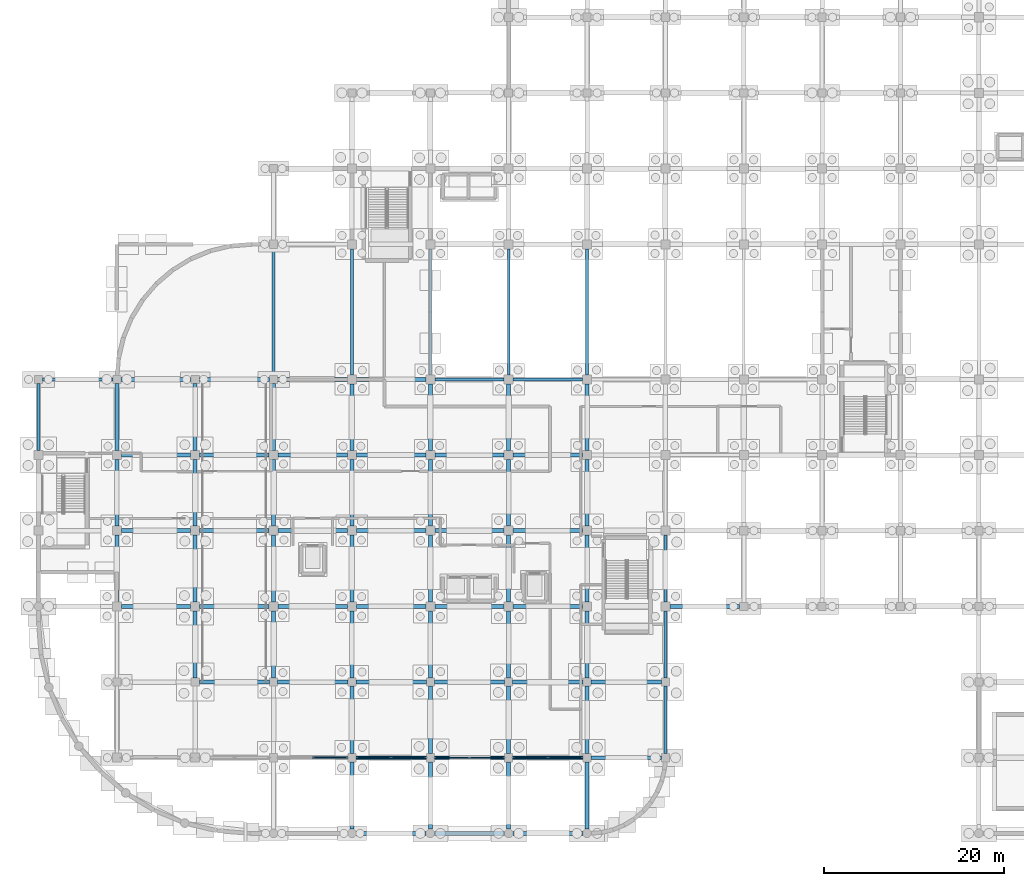
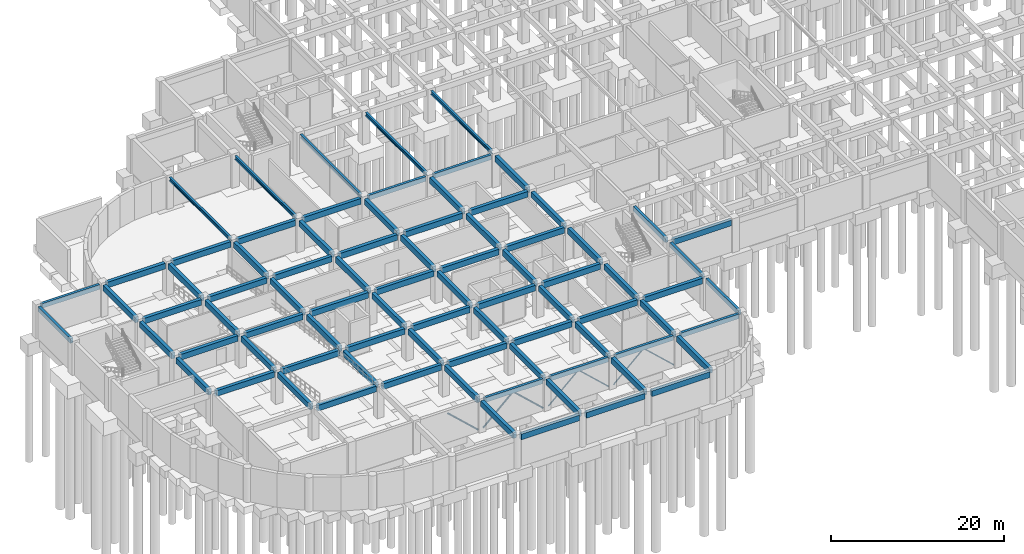
# One storey, part 16 of 33: 83 beams, 7 members.
"""IFC4 building model written with IfcOpenShell, lengths in metres."""

import ifcopenshell
import ifcopenshell.guid

model = None  # the IFC model being written
_history = None  # IfcOwnerHistory: only IFC2X3 demands one
_inside = {}  # id of a spatial element -> (the spatial element, [elements in it])
_under = {}  # id of a project, library or spatial element -> (it, [spatial elements below it])
_declared = {}  # id of a project -> (the project, [libraries it declares])
_typed = {}  # id of a type object -> (the type object, [elements of that type])
_made_of = {}  # id of a material, layer set ... -> (it, [elements and type objects made of it])


def new_model(schema):
    """Start an empty IFC model of exactly this schema.

    Asked for "IFC4X3", IfcOpenShell would pick the latest addendum, in which some entities
    have other attributes; the version numbers below select the first issue.
    IFC2X3 requires an IfcOwnerHistory on every rooted entity: one is made here for all.
    """
    global model, _history
    if schema == "IFC4X3":
        model = ifcopenshell.file(schema_version=(4, 3, 0, 0))
    else:
        model = ifcopenshell.file(schema=schema)
    _inside.clear()
    _under.clear()
    _declared.clear()
    _typed.clear()
    _made_of.clear()
    _history = None
    if model.schema == "IFC2X3":
        org = make("IfcOrganization", Name="unknown")
        user = make(
            "IfcPersonAndOrganization",
            ThePerson=make("IfcPerson", FamilyName="unknown"),
            TheOrganization=org,
        )
        app = make(
            "IfcApplication",
            ApplicationDeveloper=org,
            Version="unknown",
            ApplicationFullName="unknown",
            ApplicationIdentifier="unknown",
        )
        _history = make(
            "IfcOwnerHistory",
            OwningUser=user,
            OwningApplication=app,
            ChangeAction="ADDED",
            CreationDate=0,
        )
    return model


def make(cls, **values):
    """One entity of the class cls with the attributes given. An attribute that is None is left unset."""
    return model.create_entity(
        cls, **{name: value for name, value in values.items() if value is not None}
    )


def rooted(cls, **values):
    """An entity with a GlobalId (a new one), such as an element, a storey or a relation."""
    return make(cls, GlobalId=ifcopenshell.guid.new(), OwnerHistory=_history, **values)


def si_unit(unit_type, name, prefix=None):
    """IfcSIUnit, for example si_unit("LENGTHUNIT", "METRE", prefix="MILLI")."""
    return make("IfcSIUnit", UnitType=unit_type, Prefix=prefix, Name=name)


def derived_unit(unit_type, elements):
    """IfcDerivedUnit: a product of units, each with its exponent."""
    return make(
        "IfcDerivedUnit",
        Elements=[
            make("IfcDerivedUnitElement", Unit=unit, Exponent=power)
            for unit, power in elements
        ],
        UnitType=unit_type,
    )


def assignment(units):
    """IfcUnitAssignment: the units of a project."""
    return None if units is None else make("IfcUnitAssignment", Units=units)


def point(xyz):
    """IfcCartesianPoint."""
    return None if xyz is None else make("IfcCartesianPoint", Coordinates=xyz)


def direction(xyz):
    """IfcDirection."""
    return None if xyz is None else make("IfcDirection", DirectionRatios=xyz)


def frame(location, z_axis=None, x_axis=None):
    """IfcAxis2Placement3D, a coordinate frame: its origin and axes. An axis left out is left unset."""
    return make(
        "IfcAxis2Placement3D",
        Location=point(location),
        Axis=direction(z_axis),
        RefDirection=direction(x_axis),
    )


def frame_2d(location, x_axis=None):
    """IfcAxis2Placement2D, a coordinate frame in the plane: its origin and x axis."""
    return make(
        "IfcAxis2Placement2D", Location=point(location), RefDirection=direction(x_axis)
    )


def origin():
    """The frame at (0, 0, 0) with its axes left unset."""
    return frame((0.0, 0.0, 0.0))


def origin_2d():
    """The frame at (0, 0) in the plane with its x axis left unset."""
    return frame_2d((0.0, 0.0))


def place(relative_to, where):
    """IfcLocalPlacement: puts the frame where relative to a parent placement (None: the world)."""
    return make(
        "IfcLocalPlacement", PlacementRelTo=relative_to, RelativePlacement=where
    )


def context(
    kind, dimensions, precision=None, world=None, true_north=None, identifier=None
):
    """IfcGeometricRepresentationContext, for example the 3D "Model" context."""
    return make(
        "IfcGeometricRepresentationContext",
        ContextIdentifier=identifier,
        ContextType=kind,
        CoordinateSpaceDimension=dimensions,
        Precision=precision,
        WorldCoordinateSystem=world,
        TrueNorth=true_north,
    )


def subcontext(parent, identifier, kind, view, scale=None):
    """IfcGeometricRepresentationSubContext, for example "Body" below "Model"."""
    return make(
        "IfcGeometricRepresentationSubContext",
        ContextIdentifier=identifier,
        ContextType=kind,
        ParentContext=parent,
        TargetScale=scale,
        TargetView=view,
    )


def project(units=None, contexts=None):
    """IfcProject with its units and contexts."""
    return rooted(
        "IfcProject",
        Name="project",
        RepresentationContexts=contexts,
        UnitsInContext=assignment(units),
    )


def spatial(cls, under=None, at=None, **own):
    """A site, building, storey or space (cls), placed at a placement, below another one or the project."""
    s = rooted(cls, ObjectPlacement=at, **own)
    if under is not None:
        _under.setdefault(under.id(), (under, []))[1].append(s)
    return s


def profile(cls, at=None, kind="AREA", **sizes):
    """A parametric profile (cls). Its sizes go by their IFC names, for example OverallWidth=200.0."""
    return make(cls, ProfileType=kind, Position=at, **sizes)


def rectangle(**sizes):
    """IfcRectangleProfileDef."""
    return profile("IfcRectangleProfileDef", **sizes)


def hollow_circle(**sizes):
    """IfcCircleHollowProfileDef."""
    return profile("IfcCircleHollowProfileDef", **sizes)


def i_section(**sizes):
    """IfcIShapeProfileDef."""
    return profile("IfcIShapeProfileDef", **sizes)


def extrude(swept, where, along, depth):
    """IfcExtrudedAreaSolid: the profile swept, set in the frame where, extruded along a direction by depth."""
    return make(
        "IfcExtrudedAreaSolid",
        SweptArea=swept,
        Position=where,
        ExtrudedDirection=direction(along),
        Depth=depth,
    )


def shape(context_of_items, identifier, shape_type, items):
    """IfcShapeRepresentation: the items that make up one representation, for example the "Body"."""
    return make(
        "IfcShapeRepresentation",
        ContextOfItems=context_of_items,
        RepresentationIdentifier=identifier,
        RepresentationType=shape_type,
        Items=items,
    )


def material(Name=None, Category=None):
    """IfcMaterial."""
    return make("IfcMaterial", Name=Name, Category=Category)


def material_profile(
    of_material, cross_section, Name=None, Category=None, Priority=None
):
    """IfcMaterialProfile: a cross section and its material."""
    return make(
        "IfcMaterialProfile",
        Name=Name,
        Material=of_material,
        Profile=cross_section,
        Priority=Priority,
        Category=Category,
    )


def profile_set(profiles, Name=None, composite=None):
    """IfcMaterialProfileSet."""
    return make(
        "IfcMaterialProfileSet",
        Name=Name,
        MaterialProfiles=profiles,
        CompositeProfile=composite,
    )


def made_of(thing, what):
    """Note that an element or type object is made of a material, layer set ...; save() writes the relation."""
    if what is not None:
        _made_of.setdefault(what.id(), (what, []))[1].append(thing)
    return thing


def type_object(cls, material=None, **own):
    """A type object (cls), such as IfcWallType, which elements share."""
    return made_of(rooted(cls, **own), material)


def element(
    cls,
    number,
    at=None,
    inside=None,
    cuts=None,
    type_object=None,
    material=None,
    context=None,
    identifier="Body",
    shape_type=None,
    held_by="IfcProductDefinitionShape",
    body=None,
    shapes=None,
    **own,
):
    """One element of the class cls, such as IfcWall. Its Tag is "e" and its number.

    at: its placement. inside: the storey or other place that contains it. cuts: it is an
    opening in that element (IfcRelVoidsElement). A single representation is given by context,
    identifier, shape_type and body (its items); several are given by shapes. held_by: the class
    of the entity that holds the representations. save() writes the other relations.
    """
    e = rooted(cls, Tag="e%d" % number, ObjectPlacement=at, **own)
    if body is not None:
        shapes = [shape(context, identifier, shape_type, body)]
    if shapes is not None:
        e.Representation = make(held_by, Representations=shapes)
    if inside is not None:
        _inside.setdefault(inside.id(), (inside, []))[1].append(e)
    if cuts is not None:
        rooted(
            "IfcRelVoidsElement", RelatingBuildingElement=cuts, RelatedOpeningElement=e
        )
    if type_object is not None:
        _typed.setdefault(type_object.id(), (type_object, []))[1].append(e)
    return made_of(e, material)


def aggregate(whole, parts):
    """IfcRelAggregates: a whole, such as a stair, and the parts it consists of."""
    return rooted("IfcRelAggregates", RelatingObject=whole, RelatedObjects=parts)


def save(model, path):
    """Write the relations noted so far, then the file.

    IfcRelAggregates (storeys below a building ...), IfcRelContainedInSpatialStructure (elements
    in a storey), IfcRelDefinesByType, IfcRelAssociatesMaterial and IfcRelDeclares: one each for
    every whole, place, type object, material and project.
    """
    for whole, parts in _under.values():
        aggregate(whole, parts)
    for where, things in _inside.values():
        rooted(
            "IfcRelContainedInSpatialStructure",
            RelatedElements=things,
            RelatingStructure=where,
        )
    for kind, things in _typed.values():
        rooted("IfcRelDefinesByType", RelatedObjects=things, RelatingType=kind)
    for what, things in _made_of.values():
        rooted("IfcRelAssociatesMaterial", RelatedObjects=things, RelatingMaterial=what)
    for by, libraries in _declared.values():
        rooted("IfcRelDeclares", RelatingContext=by, RelatedDefinitions=libraries)
    model.write(path)


model = new_model("IFC4")

# Units and contexts
model_context = context("Model", 3, precision=1e-05, world=origin(), true_north=direction((0.0, 1.0)))
body_context = subcontext(model_context, "Body", "Model", "MODEL_VIEW")
ifc_project = project(units=[si_unit("LENGTHUNIT", "METRE"), si_unit("AREAUNIT", "SQUARE_METRE"), si_unit("VOLUMEUNIT", "CUBIC_METRE"), si_unit("PLANEANGLEUNIT", "RADIAN"), si_unit("MASSUNIT", "GRAM", prefix="KILO"), derived_unit("THERMALTRANSMITTANCEUNIT", [(si_unit("MASSUNIT", "GRAM", prefix="KILO"), 1), (si_unit("TIMEUNIT", "SECOND"), -3), (si_unit("THERMODYNAMICTEMPERATUREUNIT", "KELVIN"), -1)])], contexts=[model_context])

# Site, building, storey
site_placement = place(None, origin())
site = spatial("IfcSite", under=ifc_project, at=site_placement, CompositionType="ELEMENT")
building_placement = place(site_placement, origin())
building = spatial("IfcBuilding", under=site, at=building_placement, Name="Qinzheling Arcade Emporium", CompositionType="ELEMENT")
storey_placement = place(building_placement, frame((0.0, 0.0, -9.60009765625)))
storey = spatial("IfcBuildingStorey", under=building, at=storey_placement, Name="B2", CompositionType="ELEMENT", Elevation=-9.60009765625)

# Beams
ifc_material_1 = material(Name="Structural steel Q355B", Category="steel")
ifc_material_profile_1 = material_profile(ifc_material_1, i_section(OverallWidth=0.300048828125, OverallDepth=0.488037109375, WebThickness=0.010986328125, FlangeThickness=0.01806640625, FilletRadius=0.02197265625, at=origin_2d()), Name="HM 488x300x11x18", Category="steel")
ifc_profile_set_1 = profile_set([ifc_material_profile_1], Name="Structural steel Q355B")
beam_type_1 = type_object("IfcBeamType", Name="Atrium Bridge Girder HM488 Q355B", PredefinedType="USERDEFINED", material=ifc_profile_set_1)
beam_1_placement = place(storey_placement, frame((26.10009765625, 50.85009765625, 4.236083984375), z_axis=(0.0, 1.0, 0.0), x_axis=(-1.0, 0.0, 0.0)))
element("IfcBeam", 1, at=beam_1_placement, inside=storey, type_object=beam_type_1, Name="Beam BM-B2-Y-4-G", ObjectType="TRANSFER_GIRDER", PredefinedType="USERDEFINED", context=body_context, shape_type="SweptSolid", body=[
    extrude(i_section(OverallWidth=0.300048828125, OverallDepth=0.488037109375, WebThickness=0.010986328125, FlangeThickness=0.01806640625, FilletRadius=0.02197265625, at=origin_2d()), origin(), (0.0, 0.0, 1.0), 14.099853515625),
])
for number, where, z_axis, x_axis, name in (
    (2, (34.800048828125, 50.89990234375, 4.236083984375), (0.0, 1.0, 0.0), (-1.0, 0.0, 0.0), "Beam BM-B2-Y-5-G"),
    (3, (43.5, 50.89990234375, 4.236083984375), (0.0, 1.0, 0.0), (-1.0, 0.0, 0.0), "Beam BM-B2-Y-6-G"),
    (4, (52.199951171875, 50.89990234375, 4.276123046875), (0.0, 1.0, 0.0), (-1.0, 0.0, 0.0), "Beam BM-B2-Y-7-G"),
    (5, (60.89990234375, 50.89990234375, 4.276123046875), (0.0, 1.0, 0.0), (-1.0, 0.0, 0.0), "Beam BM-B2-Y-8-G"),
):
    element("IfcBeam", number, at=place(storey_placement, frame(where, z_axis=z_axis, x_axis=x_axis)), inside=storey, type_object=beam_type_1, Name=name, ObjectType="TRANSFER_GIRDER", PredefinedType="USERDEFINED", context=body_context, shape_type="SweptSolid", body=[
        extrude(i_section(OverallWidth=0.300048828125, OverallDepth=0.488037109375, WebThickness=0.010986328125, FlangeThickness=0.01806640625, FilletRadius=0.02197265625, at=origin_2d()), origin(), (0.0, 0.0, 1.0), 14.0),
    ])

# Members
ifc_material_2 = material(Name="Weathering steel Q355NH", Category="steel")
ifc_material_profile_2 = material_profile(ifc_material_2, hollow_circle(Radius=0.109619140625, WallThickness=0.010009765625, at=origin_2d()), Name="CHS 219x10", Category="steel")
ifc_profile_set_2 = profile_set([ifc_material_profile_2], Name="Weathering steel Q355NH")
member_type_1 = type_object("IfcMemberType", Name="Lateral Frame Wind Brace CHS219 Q355NH", PredefinedType="BRACE", material=ifc_profile_set_2)
for number, where, z_axis, x_axis, name in (
    (6, (34.449951171875, 8.39990234375, 0.25), (-0.734081571746, 0.0, 0.679061297692), (0.0, -1.0, 0.0), "Chevron Frame Brace FRM-BRC-B2-01-2"),
    (7, (35.14990234375, 8.39990234375, 0.25), (0.734081571746, 0.0, 0.679061297692), (0.0, 1.0, 0.0), "Chevron Frame Brace FRM-BRC-B2-02-1"),
    (8, (43.14990234375, 8.39990234375, 0.25), (-0.734081571746, 0.0, 0.679061297692), (0.0, -1.0, 0.0), "Chevron Frame Brace FRM-BRC-B2-02-2"),
):
    element("IfcMember", number, at=place(storey_placement, frame(where, z_axis=z_axis, x_axis=x_axis)), inside=storey, type_object=member_type_1, Name=name, PredefinedType="BRACE", context=body_context, shape_type="SweptSolid", body=[
        extrude(hollow_circle(Radius=0.109619140625, WallThickness=0.010009765625, at=origin_2d()), origin(), (0.0, 0.0, 1.0), 5.448974609375),
    ])
ifc_material_profile_3 = material_profile(ifc_material_1, hollow_circle(Radius=0.083984375, WallThickness=0.008056640625, at=origin_2d()), Name="CHS 168x8", Category="steel")
ifc_profile_set_3 = profile_set([ifc_material_profile_3], Name="Structural steel Q355B")
member_type_2 = type_object("IfcMemberType", Name="Logistics Frame Cross Brace CHS168 Q355B", PredefinedType="BRACE", material=ifc_profile_set_3)
for number, where, z_axis, x_axis, name in (
    (9, (43.85009765625, 8.39990234375, 0.25), (0.734081571746, 0.0, 0.679061297692), (0.0, 1.0, 0.0), "Chevron Frame Brace FRM-BRC-B2-05-1"),
    (10, (51.85009765625, 8.39990234375, 0.25), (-0.734081571746, 0.0, 0.679061297692), (0.0, -1.0, 0.0), "Chevron Frame Brace FRM-BRC-B2-05-2"),
    (11, (52.550048828125, 8.39990234375, 0.25), (0.734081571746, 0.0, 0.679061297692), (0.0, 1.0, 0.0), "Chevron Frame Brace FRM-BRC-B2-07-1"),
    (12, (60.550048828125, 8.39990234375, 0.25), (-0.734081571746, 0.0, 0.679061297692), (0.0, -1.0, 0.0), "Chevron Frame Brace FRM-BRC-B2-07-2"),
):
    element("IfcMember", number, at=place(storey_placement, frame(where, z_axis=z_axis, x_axis=x_axis)), inside=storey, type_object=member_type_2, Name=name, PredefinedType="BRACE", context=body_context, shape_type="SweptSolid", body=[
        extrude(hollow_circle(Radius=0.083984375, WallThickness=0.008056640625, at=origin_2d()), origin(), (0.0, 0.0, 1.0), 5.448974609375),
    ])

# Beams
ifc_material_3 = material(Name="Concrete C40", Category="concrete")
ifc_material_profile_4 = material_profile(ifc_material_3, rectangle(XDim=0.449951171875, YDim=0.800048828125, at=origin_2d()), Name="RC 450x800", Category="concrete")
ifc_profile_set_4 = profile_set([ifc_material_profile_4], Name="Concrete C40")
beam_type_2 = type_object("IfcBeamType", Name="RC Primary Frame Beam 450x800 C40", PredefinedType="BEAM", material=ifc_profile_set_4)
for number, where, z_axis, x_axis, name in (
    (13, (35.27490234375, 0.0, 4.1201171875), (1.0, 0.0, 0.0), (0.0, 1.0, 0.0), "Beam BM-B2-X-A-5"),
    (14, (43.97509765625, 0.0, 4.1201171875), (1.0, 0.0, 0.0), (0.0, 1.0, 0.0), "Beam BM-B2-X-A-6"),
    (15, (52.675048828125, 0.0, 4.1201171875), (1.0, 0.0, 0.0), (0.0, 1.0, 0.0), "Beam BM-B2-X-A-7"),
):
    element("IfcBeam", number, at=place(storey_placement, frame(where, z_axis=z_axis, x_axis=x_axis)), inside=storey, type_object=beam_type_2, Name=name, PredefinedType="BEAM", context=body_context, shape_type="SweptSolid", body=[
        extrude(rectangle(XDim=0.449951171875, YDim=0.800048828125, at=origin_2d()), origin(), (0.0, 0.0, 1.0), 7.75),
    ])
beam_2_placement = place(storey_placement, frame((17.85009765625, 16.800048828125, 4.080078125), z_axis=(1.0, 0.0, 0.0), x_axis=(0.0, 1.0, 0.0)))
element("IfcBeam", 16, at=beam_2_placement, inside=storey, type_object=beam_type_2, Name="Beam BM-B2-X-C-3", PredefinedType="BEAM", context=body_context, shape_type="SweptSolid", body=[
    extrude(rectangle(XDim=0.449951171875, YDim=0.800048828125, at=origin_2d()), origin(), (0.0, 0.0, 1.0), 7.7998046875),
])
for number, where, z_axis, x_axis, name in (
    (17, (26.550048828125, 16.800048828125, 4.080078125), (1.0, 0.0, 0.0), (0.0, 1.0, 0.0), "Beam BM-B2-X-C-4"),
    (18, (35.25, 16.800048828125, 4.080078125), (1.0, 0.0, 0.0), (0.0, 1.0, 0.0), "Beam BM-B2-X-C-5"),
    (19, (43.949951171875, 16.800048828125, 4.080078125), (1.0, 0.0, 0.0), (0.0, 1.0, 0.0), "Beam BM-B2-X-C-6"),
    (20, (52.64990234375, 16.800048828125, 4.080078125), (1.0, 0.0, 0.0), (0.0, 1.0, 0.0), "Beam BM-B2-X-C-7"),
):
    element("IfcBeam", number, at=place(storey_placement, frame(where, z_axis=z_axis, x_axis=x_axis)), inside=storey, type_object=beam_type_2, Name=name, PredefinedType="BEAM", context=body_context, shape_type="SweptSolid", body=[
        extrude(rectangle(XDim=0.449951171875, YDim=0.800048828125, at=origin_2d()), origin(), (0.0, 0.0, 1.0), 7.800048828125),
    ])
beam_3_placement = place(storey_placement, frame((61.35009765625, 16.800048828125, 4.080078125), z_axis=(1.0, 0.0, 0.0), x_axis=(0.0, 1.0, 0.0)))
element("IfcBeam", 21, at=beam_3_placement, inside=storey, type_object=beam_type_2, Name="Beam BM-B2-X-C-8", PredefinedType="BEAM", context=body_context, shape_type="SweptSolid", body=[
    extrude(rectangle(XDim=0.449951171875, YDim=0.800048828125, at=origin_2d()), origin(), (0.0, 0.0, 1.0), 7.7998046875),
])
beam_4_placement = place(storey_placement, frame((9.199951171875, 25.199951171875, 4.080078125), z_axis=(1.0, 0.0, 0.0), x_axis=(0.0, 1.0, 0.0)))
element("IfcBeam", 22, at=beam_4_placement, inside=storey, type_object=beam_type_2, Name="Beam BM-B2-X-D-2", PredefinedType="BEAM", context=body_context, shape_type="SweptSolid", body=[
    extrude(rectangle(XDim=0.449951171875, YDim=0.800048828125, at=origin_2d()), origin(), (0.0, 0.0, 1.0), 7.699951171875),
])
beam_5_placement = place(storey_placement, frame((17.89990234375, 25.199951171875, 4.080078125), z_axis=(1.0, 0.0, 0.0), x_axis=(0.0, 1.0, 0.0)))
element("IfcBeam", 23, at=beam_5_placement, inside=storey, type_object=beam_type_2, Name="Beam BM-B2-X-D-3", PredefinedType="BEAM", context=body_context, shape_type="SweptSolid", body=[
    extrude(rectangle(XDim=0.449951171875, YDim=0.800048828125, at=origin_2d()), origin(), (0.0, 0.0, 1.0), 7.7001953125),
])
for number, where, z_axis, x_axis, name in (
    (24, (26.60009765625, 25.199951171875, 4.080078125), (1.0, 0.0, 0.0), (0.0, 1.0, 0.0), "Beam BM-B2-X-D-4"),
    (25, (35.300048828125, 25.199951171875, 4.080078125), (1.0, 0.0, 0.0), (0.0, 1.0, 0.0), "Beam BM-B2-X-D-5"),
    (26, (44.0, 25.199951171875, 4.080078125), (1.0, 0.0, 0.0), (0.0, 1.0, 0.0), "Beam BM-B2-X-D-6"),
    (27, (52.699951171875, 25.199951171875, 4.080078125), (1.0, 0.0, 0.0), (0.0, 1.0, 0.0), "Beam BM-B2-X-D-7"),
):
    element("IfcBeam", number, at=place(storey_placement, frame(where, z_axis=z_axis, x_axis=x_axis)), inside=storey, type_object=beam_type_2, Name=name, PredefinedType="BEAM", context=body_context, shape_type="SweptSolid", body=[
        extrude(rectangle(XDim=0.449951171875, YDim=0.800048828125, at=origin_2d()), origin(), (0.0, 0.0, 1.0), 7.699951171875),
    ])
beam_6_placement = place(storey_placement, frame((70.10009765625, 25.199951171875, 4.1201171875), z_axis=(1.0, 0.0, 0.0), x_axis=(0.0, 1.0, 0.0)))
element("IfcBeam", 28, at=beam_6_placement, inside=storey, type_object=beam_type_2, Name="Beam BM-B2-X-D-9", PredefinedType="BEAM", context=body_context, shape_type="SweptSolid", body=[
    extrude(rectangle(XDim=0.449951171875, YDim=0.800048828125, at=origin_2d()), origin(), (0.0, 0.0, 1.0), 7.75),
])
beam_7_placement = place(storey_placement, frame((9.199951171875, 33.60009765625, 4.080078125), z_axis=(1.0, 0.0, 0.0), x_axis=(0.0, 1.0, 0.0)))
element("IfcBeam", 29, at=beam_7_placement, inside=storey, type_object=beam_type_2, Name="Beam BM-B2-X-E-2", PredefinedType="BEAM", context=body_context, shape_type="SweptSolid", body=[
    extrude(rectangle(XDim=0.449951171875, YDim=0.800048828125, at=origin_2d()), origin(), (0.0, 0.0, 1.0), 7.699951171875),
])
beam_8_placement = place(storey_placement, frame((17.89990234375, 33.60009765625, 4.080078125), z_axis=(1.0, 0.0, 0.0), x_axis=(0.0, 1.0, 0.0)))
element("IfcBeam", 30, at=beam_8_placement, inside=storey, type_object=beam_type_2, Name="Beam BM-B2-X-E-3", PredefinedType="BEAM", context=body_context, shape_type="SweptSolid", body=[
    extrude(rectangle(XDim=0.449951171875, YDim=0.800048828125, at=origin_2d()), origin(), (0.0, 0.0, 1.0), 7.7001953125),
])
for number, where, z_axis, x_axis, name in (
    (31, (26.60009765625, 33.60009765625, 4.080078125), (1.0, 0.0, 0.0), (0.0, 1.0, 0.0), "Beam BM-B2-X-E-4"),
    (32, (35.300048828125, 33.60009765625, 4.080078125), (1.0, 0.0, 0.0), (0.0, 1.0, 0.0), "Beam BM-B2-X-E-5"),
    (33, (44.0, 33.60009765625, 4.080078125), (1.0, 0.0, 0.0), (0.0, 1.0, 0.0), "Beam BM-B2-X-E-6"),
    (34, (52.699951171875, 33.60009765625, 4.080078125), (1.0, 0.0, 0.0), (0.0, 1.0, 0.0), "Beam BM-B2-X-E-7"),
    (35, (9.199951171875, 42.0, 4.080078125), (1.0, 0.0, 0.0), (0.0, 1.0, 0.0), "Beam BM-B2-X-F-2"),
):
    element("IfcBeam", number, at=place(storey_placement, frame(where, z_axis=z_axis, x_axis=x_axis)), inside=storey, type_object=beam_type_2, Name=name, PredefinedType="BEAM", context=body_context, shape_type="SweptSolid", body=[
        extrude(rectangle(XDim=0.449951171875, YDim=0.800048828125, at=origin_2d()), origin(), (0.0, 0.0, 1.0), 7.699951171875),
    ])
beam_9_placement = place(storey_placement, frame((17.89990234375, 42.0, 4.080078125), z_axis=(1.0, 0.0, 0.0), x_axis=(0.0, 1.0, 0.0)))
element("IfcBeam", 36, at=beam_9_placement, inside=storey, type_object=beam_type_2, Name="Beam BM-B2-X-F-3", PredefinedType="BEAM", context=body_context, shape_type="SweptSolid", body=[
    extrude(rectangle(XDim=0.449951171875, YDim=0.800048828125, at=origin_2d()), origin(), (0.0, 0.0, 1.0), 7.7001953125),
])
for number, where, z_axis, x_axis, name in (
    (37, (26.60009765625, 42.0, 4.080078125), (1.0, 0.0, 0.0), (0.0, 1.0, 0.0), "Beam BM-B2-X-F-4"),
    (38, (35.300048828125, 42.0, 4.080078125), (1.0, 0.0, 0.0), (0.0, 1.0, 0.0), "Beam BM-B2-X-F-5"),
    (39, (44.0, 42.0, 4.080078125), (1.0, 0.0, 0.0), (0.0, 1.0, 0.0), "Beam BM-B2-X-F-6"),
    (40, (52.699951171875, 42.0, 4.080078125), (1.0, 0.0, 0.0), (0.0, 1.0, 0.0), "Beam BM-B2-X-F-7"),
):
    element("IfcBeam", number, at=place(storey_placement, frame(where, z_axis=z_axis, x_axis=x_axis)), inside=storey, type_object=beam_type_2, Name=name, PredefinedType="BEAM", context=body_context, shape_type="SweptSolid", body=[
        extrude(rectangle(XDim=0.449951171875, YDim=0.800048828125, at=origin_2d()), origin(), (0.0, 0.0, 1.0), 7.699951171875),
    ])
beam_10_placement = place(storey_placement, frame((9.14990234375, 50.39990234375, 4.080078125), z_axis=(1.0, 0.0, 0.0), x_axis=(0.0, 1.0, 0.0)))
element("IfcBeam", 41, at=beam_10_placement, inside=storey, type_object=beam_type_2, Name="Beam BM-B2-X-G-2", PredefinedType="BEAM", context=body_context, shape_type="SweptSolid", body=[
    extrude(rectangle(XDim=0.449951171875, YDim=0.800048828125, at=origin_2d()), origin(), (0.0, 0.0, 1.0), 7.800048828125),
])
beam_11_placement = place(storey_placement, frame((17.85009765625, 50.39990234375, 4.080078125), z_axis=(1.0, 0.0, 0.0), x_axis=(0.0, 1.0, 0.0)))
element("IfcBeam", 42, at=beam_11_placement, inside=storey, type_object=beam_type_2, Name="Beam BM-B2-X-G-3", PredefinedType="BEAM", context=body_context, shape_type="SweptSolid", body=[
    extrude(rectangle(XDim=0.449951171875, YDim=0.800048828125, at=origin_2d()), origin(), (0.0, 0.0, 1.0), 7.7998046875),
])
beam_12_placement = place(storey_placement, frame((26.550048828125, 50.39990234375, 4.080078125), z_axis=(1.0, 0.0, 0.0), x_axis=(0.0, 1.0, 0.0)))
element("IfcBeam", 43, at=beam_12_placement, inside=storey, type_object=beam_type_2, Name="Beam BM-B2-X-G-4", PredefinedType="BEAM", context=body_context, shape_type="SweptSolid", body=[
    extrude(rectangle(XDim=0.449951171875, YDim=0.800048828125, at=origin_2d()), origin(), (0.0, 0.0, 1.0), 7.75),
])
beam_13_placement = place(storey_placement, frame((35.300048828125, 50.39990234375, 4.080078125), z_axis=(1.0, 0.0, 0.0), x_axis=(0.0, 1.0, 0.0)))
element("IfcBeam", 44, at=beam_13_placement, inside=storey, type_object=beam_type_2, Name="Beam BM-B2-X-G-5", PredefinedType="BEAM", context=body_context, shape_type="SweptSolid", body=[
    extrude(rectangle(XDim=0.449951171875, YDim=0.800048828125, at=origin_2d()), origin(), (0.0, 0.0, 1.0), 7.699951171875),
])
beam_14_placement = place(storey_placement, frame((8.699951171875, 25.699951171875, 4.080078125), z_axis=(0.0, 1.0, 0.0), x_axis=(-1.0, 0.0, 0.0)))
element("IfcBeam", 45, at=beam_14_placement, inside=storey, type_object=beam_type_2, Name="Beam BM-B2-Y-2-D", PredefinedType="BEAM", context=body_context, shape_type="SweptSolid", body=[
    extrude(rectangle(XDim=0.449951171875, YDim=0.800048828125, at=origin_2d()), origin(), (0.0, 0.0, 1.0), 7.400146484375),
])
beam_15_placement = place(storey_placement, frame((8.699951171875, 34.10009765625, 4.080078125), z_axis=(0.0, 1.0, 0.0), x_axis=(-1.0, 0.0, 0.0)))
element("IfcBeam", 46, at=beam_15_placement, inside=storey, type_object=beam_type_2, Name="Beam BM-B2-Y-2-E", PredefinedType="BEAM", context=body_context, shape_type="SweptSolid", body=[
    extrude(rectangle(XDim=0.449951171875, YDim=0.800048828125, at=origin_2d()), origin(), (0.0, 0.0, 1.0), 7.39990234375),
])
for number, where, z_axis, x_axis, name in (
    (47, (8.699951171875, 42.5, 4.080078125), (0.0, 1.0, 0.0), (-1.0, 0.0, 0.0), "Beam BM-B2-Y-2-F"),
    (48, (17.39990234375, 17.25, 4.080078125), (0.0, 1.0, 0.0), (-1.0, 0.0, 0.0), "Beam BM-B2-Y-3-C"),
):
    element("IfcBeam", number, at=place(storey_placement, frame(where, z_axis=z_axis, x_axis=x_axis)), inside=storey, type_object=beam_type_2, Name=name, PredefinedType="BEAM", context=body_context, shape_type="SweptSolid", body=[
        extrude(rectangle(XDim=0.449951171875, YDim=0.800048828125, at=origin_2d()), origin(), (0.0, 0.0, 1.0), 7.449951171875),
    ])
beam_16_placement = place(storey_placement, frame((17.39990234375, 25.699951171875, 4.080078125), z_axis=(0.0, 1.0, 0.0), x_axis=(-1.0, 0.0, 0.0)))
element("IfcBeam", 49, at=beam_16_placement, inside=storey, type_object=beam_type_2, Name="Beam BM-B2-Y-3-D", PredefinedType="BEAM", context=body_context, shape_type="SweptSolid", body=[
    extrude(rectangle(XDim=0.449951171875, YDim=0.800048828125, at=origin_2d()), origin(), (0.0, 0.0, 1.0), 7.400146484375),
])
beam_17_placement = place(storey_placement, frame((17.39990234375, 34.10009765625, 4.080078125), z_axis=(0.0, 1.0, 0.0), x_axis=(-1.0, 0.0, 0.0)))
element("IfcBeam", 50, at=beam_17_placement, inside=storey, type_object=beam_type_2, Name="Beam BM-B2-Y-3-E", PredefinedType="BEAM", context=body_context, shape_type="SweptSolid", body=[
    extrude(rectangle(XDim=0.449951171875, YDim=0.800048828125, at=origin_2d()), origin(), (0.0, 0.0, 1.0), 7.39990234375),
])
for number, where, z_axis, x_axis, name in (
    (51, (17.39990234375, 42.5, 4.080078125), (0.0, 1.0, 0.0), (-1.0, 0.0, 0.0), "Beam BM-B2-Y-3-F"),
    (52, (26.10009765625, 17.25, 4.080078125), (0.0, 1.0, 0.0), (-1.0, 0.0, 0.0), "Beam BM-B2-Y-4-C"),
):
    element("IfcBeam", number, at=place(storey_placement, frame(where, z_axis=z_axis, x_axis=x_axis)), inside=storey, type_object=beam_type_2, Name=name, PredefinedType="BEAM", context=body_context, shape_type="SweptSolid", body=[
        extrude(rectangle(XDim=0.449951171875, YDim=0.800048828125, at=origin_2d()), origin(), (0.0, 0.0, 1.0), 7.449951171875),
    ])
beam_18_placement = place(storey_placement, frame((26.10009765625, 25.699951171875, 4.080078125), z_axis=(0.0, 1.0, 0.0), x_axis=(-1.0, 0.0, 0.0)))
element("IfcBeam", 53, at=beam_18_placement, inside=storey, type_object=beam_type_2, Name="Beam BM-B2-Y-4-D", PredefinedType="BEAM", context=body_context, shape_type="SweptSolid", body=[
    extrude(rectangle(XDim=0.449951171875, YDim=0.800048828125, at=origin_2d()), origin(), (0.0, 0.0, 1.0), 7.400146484375),
])
beam_19_placement = place(storey_placement, frame((26.10009765625, 34.10009765625, 4.080078125), z_axis=(0.0, 1.0, 0.0), x_axis=(-1.0, 0.0, 0.0)))
element("IfcBeam", 54, at=beam_19_placement, inside=storey, type_object=beam_type_2, Name="Beam BM-B2-Y-4-E", PredefinedType="BEAM", context=body_context, shape_type="SweptSolid", body=[
    extrude(rectangle(XDim=0.449951171875, YDim=0.800048828125, at=origin_2d()), origin(), (0.0, 0.0, 1.0), 7.39990234375),
])
beam_20_placement = place(storey_placement, frame((26.10009765625, 42.5, 4.080078125), z_axis=(0.0, 1.0, 0.0), x_axis=(-1.0, 0.0, 0.0)))
element("IfcBeam", 55, at=beam_20_placement, inside=storey, type_object=beam_type_2, Name="Beam BM-B2-Y-4-F", PredefinedType="BEAM", context=body_context, shape_type="SweptSolid", body=[
    extrude(rectangle(XDim=0.449951171875, YDim=0.800048828125, at=origin_2d()), origin(), (0.0, 0.0, 1.0), 7.449951171875),
])
beam_21_placement = place(storey_placement, frame((34.800048828125, 0.47509765625, 4.1201171875), z_axis=(0.0, 1.0, 0.0), x_axis=(-1.0, 0.0, 0.0)))
element("IfcBeam", 56, at=beam_21_placement, inside=storey, type_object=beam_type_2, Name="Beam BM-B2-Y-5-A", PredefinedType="BEAM", context=body_context, shape_type="SweptSolid", body=[
    extrude(rectangle(XDim=0.449951171875, YDim=0.800048828125, at=origin_2d()), origin(), (0.0, 0.0, 1.0), 7.474853515625),
])
beam_22_placement = place(storey_placement, frame((34.800048828125, 8.85009765625, 4.080078125), z_axis=(0.0, 1.0, 0.0), x_axis=(-1.0, 0.0, 0.0)))
element("IfcBeam", 57, at=beam_22_placement, inside=storey, type_object=beam_type_2, Name="Beam BM-B2-Y-5-B", PredefinedType="BEAM", context=body_context, shape_type="SweptSolid", body=[
    extrude(rectangle(XDim=0.449951171875, YDim=0.800048828125, at=origin_2d()), origin(), (0.0, 0.0, 1.0), 7.5),
])
beam_23_placement = place(storey_placement, frame((34.800048828125, 17.25, 4.080078125), z_axis=(0.0, 1.0, 0.0), x_axis=(-1.0, 0.0, 0.0)))
element("IfcBeam", 58, at=beam_23_placement, inside=storey, type_object=beam_type_2, Name="Beam BM-B2-Y-5-C", PredefinedType="BEAM", context=body_context, shape_type="SweptSolid", body=[
    extrude(rectangle(XDim=0.449951171875, YDim=0.800048828125, at=origin_2d()), origin(), (0.0, 0.0, 1.0), 7.449951171875),
])
beam_24_placement = place(storey_placement, frame((34.800048828125, 25.699951171875, 4.080078125), z_axis=(0.0, 1.0, 0.0), x_axis=(-1.0, 0.0, 0.0)))
element("IfcBeam", 59, at=beam_24_placement, inside=storey, type_object=beam_type_2, Name="Beam BM-B2-Y-5-D", PredefinedType="BEAM", context=body_context, shape_type="SweptSolid", body=[
    extrude(rectangle(XDim=0.449951171875, YDim=0.800048828125, at=origin_2d()), origin(), (0.0, 0.0, 1.0), 7.400146484375),
])
for number, where, z_axis, x_axis, name in (
    (60, (34.800048828125, 34.10009765625, 4.080078125), (0.0, 1.0, 0.0), (-1.0, 0.0, 0.0), "Beam BM-B2-Y-5-E"),
    (61, (34.800048828125, 42.5, 4.080078125), (0.0, 1.0, 0.0), (-1.0, 0.0, 0.0), "Beam BM-B2-Y-5-F"),
):
    element("IfcBeam", number, at=place(storey_placement, frame(where, z_axis=z_axis, x_axis=x_axis)), inside=storey, type_object=beam_type_2, Name=name, PredefinedType="BEAM", context=body_context, shape_type="SweptSolid", body=[
        extrude(rectangle(XDim=0.449951171875, YDim=0.800048828125, at=origin_2d()), origin(), (0.0, 0.0, 1.0), 7.39990234375),
    ])
beam_25_placement = place(storey_placement, frame((43.5, 0.47509765625, 4.1201171875), z_axis=(0.0, 1.0, 0.0), x_axis=(-1.0, 0.0, 0.0)))
element("IfcBeam", 62, at=beam_25_placement, inside=storey, type_object=beam_type_2, Name="Beam BM-B2-Y-6-A", PredefinedType="BEAM", context=body_context, shape_type="SweptSolid", body=[
    extrude(rectangle(XDim=0.449951171875, YDim=0.800048828125, at=origin_2d()), origin(), (0.0, 0.0, 1.0), 7.474853515625),
])
beam_26_placement = place(storey_placement, frame((43.5, 8.85009765625, 4.080078125), z_axis=(0.0, 1.0, 0.0), x_axis=(-1.0, 0.0, 0.0)))
element("IfcBeam", 63, at=beam_26_placement, inside=storey, type_object=beam_type_2, Name="Beam BM-B2-Y-6-B", PredefinedType="BEAM", context=body_context, shape_type="SweptSolid", body=[
    extrude(rectangle(XDim=0.449951171875, YDim=0.800048828125, at=origin_2d()), origin(), (0.0, 0.0, 1.0), 7.5),
])
beam_27_placement = place(storey_placement, frame((43.5, 17.25, 4.080078125), z_axis=(0.0, 1.0, 0.0), x_axis=(-1.0, 0.0, 0.0)))
element("IfcBeam", 64, at=beam_27_placement, inside=storey, type_object=beam_type_2, Name="Beam BM-B2-Y-6-C", PredefinedType="BEAM", context=body_context, shape_type="SweptSolid", body=[
    extrude(rectangle(XDim=0.449951171875, YDim=0.800048828125, at=origin_2d()), origin(), (0.0, 0.0, 1.0), 7.449951171875),
])
beam_28_placement = place(storey_placement, frame((43.5, 25.699951171875, 4.080078125), z_axis=(0.0, 1.0, 0.0), x_axis=(-1.0, 0.0, 0.0)))
element("IfcBeam", 65, at=beam_28_placement, inside=storey, type_object=beam_type_2, Name="Beam BM-B2-Y-6-D", PredefinedType="BEAM", context=body_context, shape_type="SweptSolid", body=[
    extrude(rectangle(XDim=0.449951171875, YDim=0.800048828125, at=origin_2d()), origin(), (0.0, 0.0, 1.0), 7.400146484375),
])
for number, where, z_axis, x_axis, name in (
    (66, (43.5, 34.10009765625, 4.080078125), (0.0, 1.0, 0.0), (-1.0, 0.0, 0.0), "Beam BM-B2-Y-6-E"),
    (67, (43.5, 42.5, 4.080078125), (0.0, 1.0, 0.0), (-1.0, 0.0, 0.0), "Beam BM-B2-Y-6-F"),
):
    element("IfcBeam", number, at=place(storey_placement, frame(where, z_axis=z_axis, x_axis=x_axis)), inside=storey, type_object=beam_type_2, Name=name, PredefinedType="BEAM", context=body_context, shape_type="SweptSolid", body=[
        extrude(rectangle(XDim=0.449951171875, YDim=0.800048828125, at=origin_2d()), origin(), (0.0, 0.0, 1.0), 7.39990234375),
    ])
beam_29_placement = place(storey_placement, frame((52.199951171875, 0.47509765625, 4.1201171875), z_axis=(0.0, 1.0, 0.0), x_axis=(-1.0, 0.0, 0.0)))
element("IfcBeam", 68, at=beam_29_placement, inside=storey, type_object=beam_type_2, Name="Beam BM-B2-Y-7-A", PredefinedType="BEAM", context=body_context, shape_type="SweptSolid", body=[
    extrude(rectangle(XDim=0.449951171875, YDim=0.800048828125, at=origin_2d()), origin(), (0.0, 0.0, 1.0), 7.474853515625),
])
beam_30_placement = place(storey_placement, frame((52.199951171875, 8.85009765625, 4.080078125), z_axis=(0.0, 1.0, 0.0), x_axis=(-1.0, 0.0, 0.0)))
element("IfcBeam", 69, at=beam_30_placement, inside=storey, type_object=beam_type_2, Name="Beam BM-B2-Y-7-B", PredefinedType="BEAM", context=body_context, shape_type="SweptSolid", body=[
    extrude(rectangle(XDim=0.449951171875, YDim=0.800048828125, at=origin_2d()), origin(), (0.0, 0.0, 1.0), 7.5),
])
beam_31_placement = place(storey_placement, frame((52.199951171875, 17.25, 4.080078125), z_axis=(0.0, 1.0, 0.0), x_axis=(-1.0, 0.0, 0.0)))
element("IfcBeam", 70, at=beam_31_placement, inside=storey, type_object=beam_type_2, Name="Beam BM-B2-Y-7-C", PredefinedType="BEAM", context=body_context, shape_type="SweptSolid", body=[
    extrude(rectangle(XDim=0.449951171875, YDim=0.800048828125, at=origin_2d()), origin(), (0.0, 0.0, 1.0), 7.449951171875),
])
beam_32_placement = place(storey_placement, frame((52.199951171875, 25.699951171875, 4.080078125), z_axis=(0.0, 1.0, 0.0), x_axis=(-1.0, 0.0, 0.0)))
element("IfcBeam", 71, at=beam_32_placement, inside=storey, type_object=beam_type_2, Name="Beam BM-B2-Y-7-D", PredefinedType="BEAM", context=body_context, shape_type="SweptSolid", body=[
    extrude(rectangle(XDim=0.449951171875, YDim=0.800048828125, at=origin_2d()), origin(), (0.0, 0.0, 1.0), 7.400146484375),
])
for number, where, z_axis, x_axis, name in (
    (72, (52.199951171875, 34.10009765625, 4.080078125), (0.0, 1.0, 0.0), (-1.0, 0.0, 0.0), "Beam BM-B2-Y-7-E"),
    (73, (52.199951171875, 42.5, 4.080078125), (0.0, 1.0, 0.0), (-1.0, 0.0, 0.0), "Beam BM-B2-Y-7-F"),
):
    element("IfcBeam", number, at=place(storey_placement, frame(where, z_axis=z_axis, x_axis=x_axis)), inside=storey, type_object=beam_type_2, Name=name, PredefinedType="BEAM", context=body_context, shape_type="SweptSolid", body=[
        extrude(rectangle(XDim=0.449951171875, YDim=0.800048828125, at=origin_2d()), origin(), (0.0, 0.0, 1.0), 7.39990234375),
    ])
beam_33_placement = place(storey_placement, frame((60.89990234375, 0.47509765625, 4.1201171875), z_axis=(0.0, 1.0, 0.0), x_axis=(-1.0, 0.0, 0.0)))
element("IfcBeam", 74, at=beam_33_placement, inside=storey, type_object=beam_type_2, Name="Beam BM-B2-Y-8-A", PredefinedType="BEAM", context=body_context, shape_type="SweptSolid", body=[
    extrude(rectangle(XDim=0.449951171875, YDim=0.800048828125, at=origin_2d()), origin(), (0.0, 0.0, 1.0), 7.474853515625),
])
beam_34_placement = place(storey_placement, frame((60.89990234375, 8.85009765625, 4.080078125), z_axis=(0.0, 1.0, 0.0), x_axis=(-1.0, 0.0, 0.0)))
element("IfcBeam", 75, at=beam_34_placement, inside=storey, type_object=beam_type_2, Name="Beam BM-B2-Y-8-B", PredefinedType="BEAM", context=body_context, shape_type="SweptSolid", body=[
    extrude(rectangle(XDim=0.449951171875, YDim=0.800048828125, at=origin_2d()), origin(), (0.0, 0.0, 1.0), 7.5),
])
beam_35_placement = place(storey_placement, frame((60.89990234375, 17.25, 4.080078125), z_axis=(0.0, 1.0, 0.0), x_axis=(-1.0, 0.0, 0.0)))
element("IfcBeam", 76, at=beam_35_placement, inside=storey, type_object=beam_type_2, Name="Beam BM-B2-Y-8-C", PredefinedType="BEAM", context=body_context, shape_type="SweptSolid", body=[
    extrude(rectangle(XDim=0.449951171875, YDim=0.800048828125, at=origin_2d()), origin(), (0.0, 0.0, 1.0), 7.449951171875),
])
beam_36_placement = place(storey_placement, frame((60.89990234375, 25.699951171875, 4.080078125), z_axis=(0.0, 1.0, 0.0), x_axis=(-1.0, 0.0, 0.0)))
element("IfcBeam", 77, at=beam_36_placement, inside=storey, type_object=beam_type_2, Name="Beam BM-B2-Y-8-D", PredefinedType="BEAM", context=body_context, shape_type="SweptSolid", body=[
    extrude(rectangle(XDim=0.449951171875, YDim=0.800048828125, at=origin_2d()), origin(), (0.0, 0.0, 1.0), 7.400146484375),
])
for number, where, z_axis, x_axis, name in (
    (78, (60.89990234375, 34.10009765625, 4.080078125), (0.0, 1.0, 0.0), (-1.0, 0.0, 0.0), "Beam BM-B2-Y-8-E"),
    (79, (60.89990234375, 42.5, 4.080078125), (0.0, 1.0, 0.0), (-1.0, 0.0, 0.0), "Beam BM-B2-Y-8-F"),
):
    element("IfcBeam", number, at=place(storey_placement, frame(where, z_axis=z_axis, x_axis=x_axis)), inside=storey, type_object=beam_type_2, Name=name, PredefinedType="BEAM", context=body_context, shape_type="SweptSolid", body=[
        extrude(rectangle(XDim=0.449951171875, YDim=0.800048828125, at=origin_2d()), origin(), (0.0, 0.0, 1.0), 7.39990234375),
    ])
ifc_material_profile_5 = material_profile(ifc_material_3, rectangle(XDim=0.35009765625, YDim=0.64990234375, at=origin_2d()), Name="RC 350x650", Category="concrete")
ifc_profile_set_5 = profile_set([ifc_material_profile_5], Name="Concrete C40")
beam_type_3 = type_object("IfcBeamType", Name="RC Spandrel Edge Beam 350x650 C40", PredefinedType="SPANDREL", material=ifc_profile_set_5)
for number, where, z_axis, x_axis, name in (
    (80, (35.25, 8.39990234375, 4.155029296875), (1.0, 0.0, 0.0), (0.0, 1.0, 0.0), "Beam BM-B2-X-B-5"),
    (81, (43.949951171875, 8.39990234375, 4.155029296875), (1.0, 0.0, 0.0), (0.0, 1.0, 0.0), "Beam BM-B2-X-B-6"),
    (82, (52.64990234375, 8.39990234375, 4.155029296875), (1.0, 0.0, 0.0), (0.0, 1.0, 0.0), "Beam BM-B2-X-B-7"),
):
    element("IfcBeam", number, at=place(storey_placement, frame(where, z_axis=z_axis, x_axis=x_axis)), inside=storey, type_object=beam_type_3, Name=name, PredefinedType="SPANDREL", context=body_context, shape_type="SweptSolid", body=[
        extrude(rectangle(XDim=0.35009765625, YDim=0.64990234375, at=origin_2d()), origin(), (0.0, 0.0, 1.0), 7.800048828125),
    ])
beam_37_placement = place(storey_placement, frame((61.35009765625, 8.39990234375, 4.155029296875), z_axis=(1.0, 0.0, 0.0), x_axis=(0.0, 1.0, 0.0)))
element("IfcBeam", 83, at=beam_37_placement, inside=storey, type_object=beam_type_3, Name="Beam BM-B2-X-B-8", PredefinedType="SPANDREL", context=body_context, shape_type="SweptSolid", body=[
    extrude(rectangle(XDim=0.35009765625, YDim=0.64990234375, at=origin_2d()), origin(), (0.0, 0.0, 1.0), 7.7998046875),
])
beam_38_placement = place(storey_placement, frame((0.449951171875, 50.39990234375, 4.155029296875), z_axis=(1.0, 0.0, 0.0), x_axis=(0.0, 1.0, 0.0)))
element("IfcBeam", 84, at=beam_38_placement, inside=storey, type_object=beam_type_3, Name="Beam BM-B2-X-G-1", PredefinedType="SPANDREL", context=body_context, shape_type="SweptSolid", body=[
    extrude(rectangle(XDim=0.35009765625, YDim=0.64990234375, at=origin_2d()), origin(), (0.0, 0.0, 1.0), 7.800048828125),
])
for number, where, z_axis, x_axis, name in (
    (85, (44.0, 50.39990234375, 4.155029296875), (1.0, 0.0, 0.0), (0.0, 1.0, 0.0), "Beam BM-B2-X-G-6"),
    (86, (52.699951171875, 50.39990234375, 4.155029296875), (1.0, 0.0, 0.0), (0.0, 1.0, 0.0), "Beam BM-B2-X-G-7"),
):
    element("IfcBeam", number, at=place(storey_placement, frame(where, z_axis=z_axis, x_axis=x_axis)), inside=storey, type_object=beam_type_3, Name=name, PredefinedType="SPANDREL", context=body_context, shape_type="SweptSolid", body=[
        extrude(rectangle(XDim=0.35009765625, YDim=0.64990234375, at=origin_2d()), origin(), (0.0, 0.0, 1.0), 7.699951171875),
    ])
beam_39_placement = place(storey_placement, frame((0.0, 42.5, 4.155029296875), z_axis=(0.0, 1.0, 0.0), x_axis=(-1.0, 0.0, 0.0)))
element("IfcBeam", 87, at=beam_39_placement, inside=storey, type_object=beam_type_3, Name="Beam BM-B2-Y-1-F", PredefinedType="SPANDREL", context=body_context, shape_type="SweptSolid", body=[
    extrude(rectangle(XDim=0.35009765625, YDim=0.64990234375, at=origin_2d()), origin(), (0.0, 0.0, 1.0), 7.449951171875),
])
beam_40_placement = place(storey_placement, frame((69.60009765625, 8.85009765625, 4.155029296875), z_axis=(0.0, 1.0, 0.0), x_axis=(-1.0, 0.0, 0.0)))
element("IfcBeam", 88, at=beam_40_placement, inside=storey, type_object=beam_type_3, Name="Beam BM-B2-Y-9-B", PredefinedType="SPANDREL", context=body_context, shape_type="SweptSolid", body=[
    extrude(rectangle(XDim=0.35009765625, YDim=0.64990234375, at=origin_2d()), origin(), (0.0, 0.0, 1.0), 7.5),
])
beam_41_placement = place(storey_placement, frame((69.60009765625, 17.25, 4.155029296875), z_axis=(0.0, 1.0, 0.0), x_axis=(-1.0, 0.0, 0.0)))
element("IfcBeam", 89, at=beam_41_placement, inside=storey, type_object=beam_type_3, Name="Beam BM-B2-Y-9-C", PredefinedType="SPANDREL", context=body_context, shape_type="SweptSolid", body=[
    extrude(rectangle(XDim=0.35009765625, YDim=0.64990234375, at=origin_2d()), origin(), (0.0, 0.0, 1.0), 7.449951171875),
])
beam_42_placement = place(storey_placement, frame((69.60009765625, 25.699951171875, 4.155029296875), z_axis=(0.0, 1.0, 0.0), x_axis=(-1.0, 0.0, 0.0)))
element("IfcBeam", 90, at=beam_42_placement, inside=storey, type_object=beam_type_3, Name="Beam BM-B2-Y-9-D", PredefinedType="SPANDREL", context=body_context, shape_type="SweptSolid", body=[
    extrude(rectangle(XDim=0.35009765625, YDim=0.64990234375, at=origin_2d()), origin(), (0.0, 0.0, 1.0), 7.400146484375),
])

save(model, "model.ifc")
